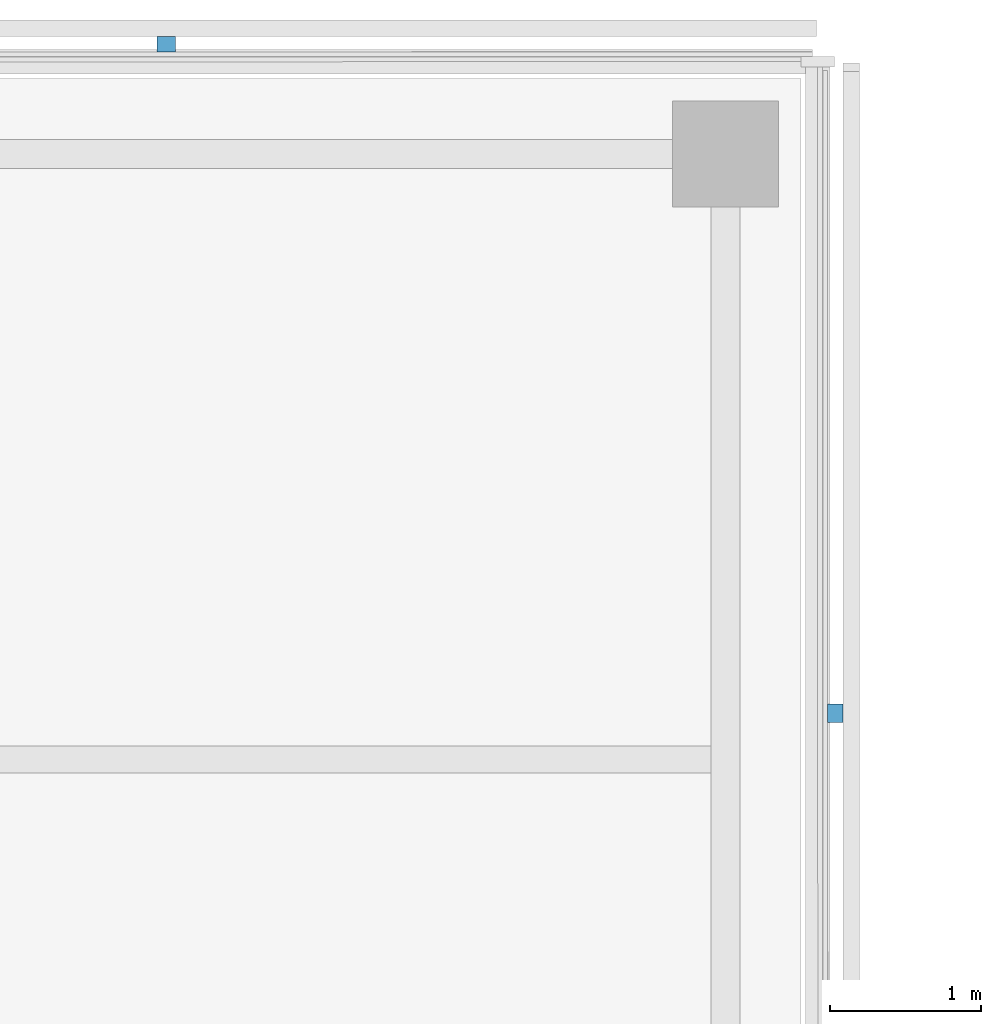
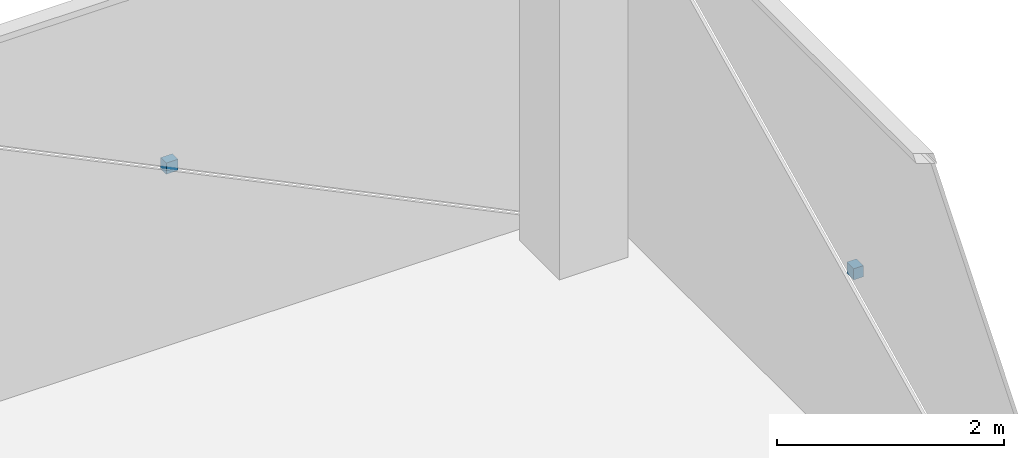
# One storey, part 20 of 22: 2 discrete accessories.
"""IFC4 building model written with IfcOpenShell, lengths in metres."""

from ifc_helpers import new_model, si_unit, direction, frame, origin, origin_2d, place, context, subcontext, project, spatial, rectangle, extrude, material, type_object, element, save


model = new_model("IFC4")

# Units and contexts
model_context = context("Model", 3, precision=1e-05, world=origin(), true_north=direction((0.0, 1.0)))
body_context = subcontext(model_context, "Body", "Model", "MODEL_VIEW")
ifc_project = project(units=[si_unit("LENGTHUNIT", "METRE"), si_unit("AREAUNIT", "SQUARE_METRE"), si_unit("VOLUMEUNIT", "CUBIC_METRE"), si_unit("PLANEANGLEUNIT", "RADIAN"), si_unit("MASSUNIT", "GRAM", prefix="KILO")], contexts=[model_context])

# Site, building, storey
site_placement = place(None, origin())
site = spatial("IfcSite", under=ifc_project, at=site_placement, CompositionType="ELEMENT")
building_placement = place(site_placement, origin())
building = spatial("IfcBuilding", under=site, at=building_placement, Name="Crosswind Convention Tower", CompositionType="ELEMENT")
storey_placement = place(building_placement, frame((0.0, 0.0, 137.89990234375)))
storey = spatial("IfcBuildingStorey", under=building, at=storey_placement, Name="L28", CompositionType="ELEMENT", Elevation=137.89990234375)

# Discrete accessories
ifc_material = material(Name="Stainless steel", Category="steel")
discrete_accessory_type = type_object("IfcDiscreteAccessoryType", Name="BAGUETTE BRACKET BK3", PredefinedType="BRACKET", material=ifc_material)
for number, where, z_axis, x_axis, name in (
    (1, (137.72607421875, 124.304931640625, 1.705078125), (0.0, 0.0, 1.0), (0.0, 1.0, 0.0), "BK3 baguette bracket"),
    (2, (133.304931640625, 128.72607421875, 1.705078125), (0.0, 0.0, 1.0), (-1.0, 0.0, 0.0), "BK3 baguette bracket"),
):
    element("IfcDiscreteAccessory", number, at=place(storey_placement, frame(where, z_axis=z_axis, x_axis=x_axis)), inside=storey, type_object=discrete_accessory_type, Name=name, PredefinedType="BRACKET", context=body_context, shape_type="SweptSolid", body=[
        extrude(rectangle(XDim=0.1201171875, YDim=0.10009765625, at=origin_2d()), origin(), (0.0, 0.0, 1.0), 0.1201171875),
    ])

save(model, "model.ifc")
